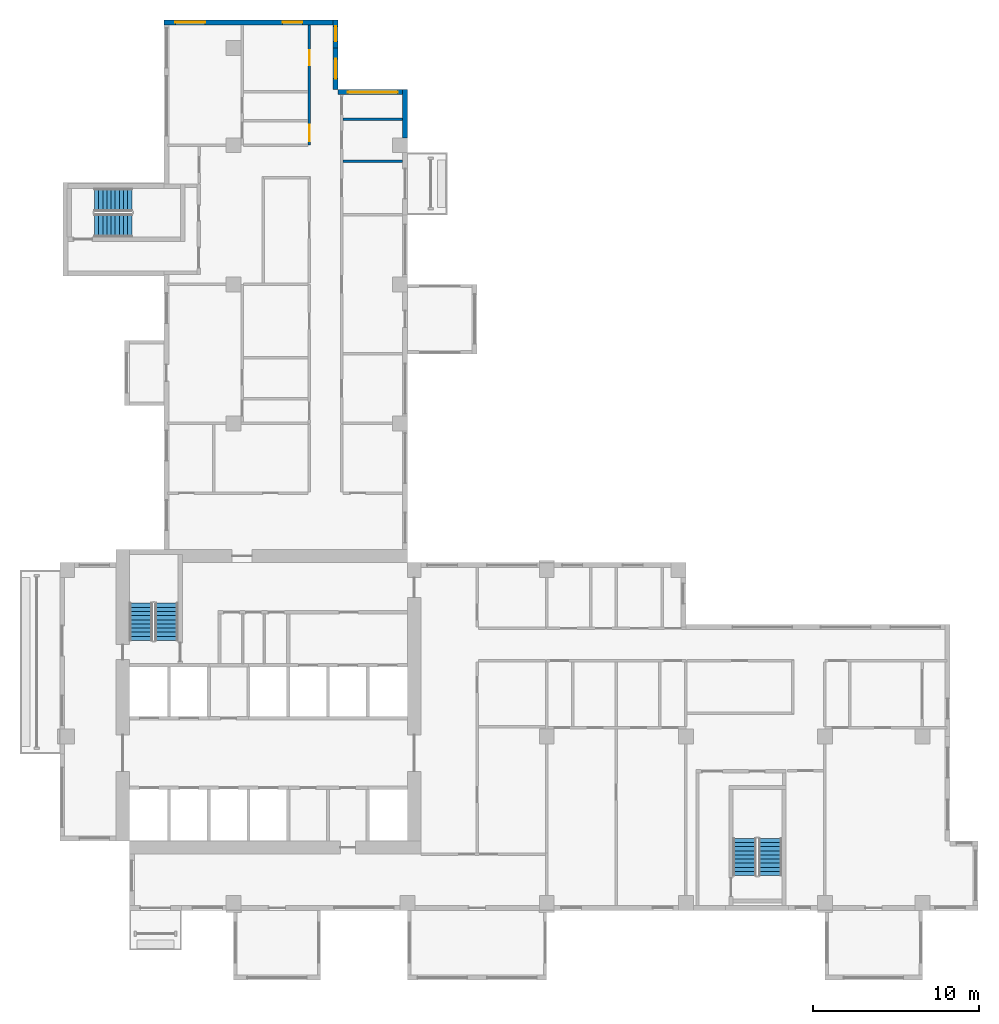
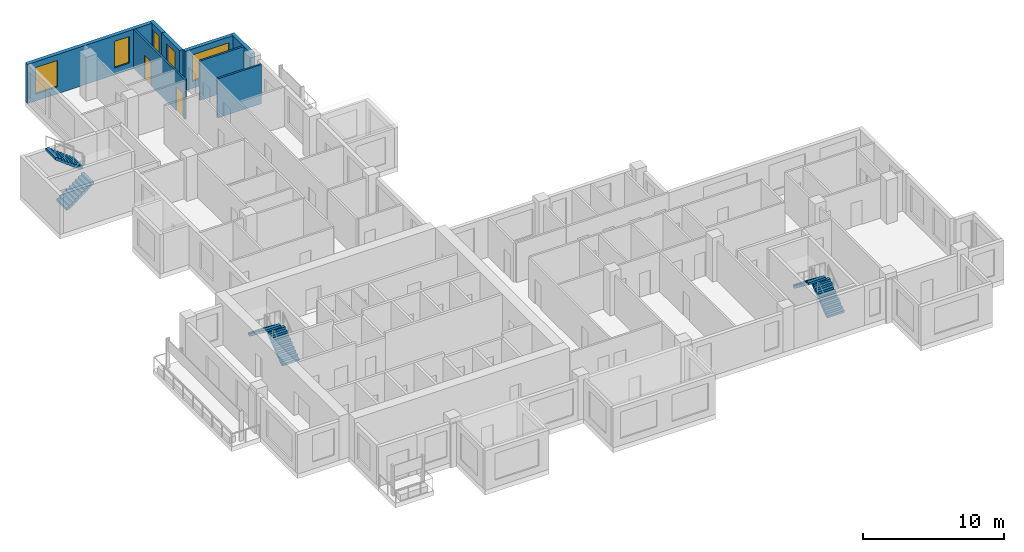
# One storey, part 8 of 12: 8 walls, 6 stair flights, 5 windows, 2 doors, 7 openings, 3 elements without a shape of their own.
"""IFC4 building model written with IfcOpenShell, lengths in metres."""

from ifc_helpers import new_model, si_unit, direction, frame, frame_2d, origin, place, context, subcontext, project, spatial, polyline, rectangle, outline, extrude, source, transform, mapped, material, layer, layer_set, type_object, element, fill, aggregate, save


model = new_model("IFC4")

# Units and contexts
model_context = context("Model", 3, precision=1e-05, world=origin(), true_north=direction((0.0, 1.0)))
body_context = subcontext(model_context, "Body", "Model", "MODEL_VIEW")
ifc_project = project(units=[si_unit("LENGTHUNIT", "METRE"), si_unit("AREAUNIT", "SQUARE_METRE"), si_unit("VOLUMEUNIT", "CUBIC_METRE"), si_unit("PLANEANGLEUNIT", "RADIAN"), si_unit("MASSUNIT", "GRAM", prefix="KILO")], contexts=[model_context])

# Site, building, storey
site_placement = place(None, origin())
site = spatial("IfcSite", under=ifc_project, at=site_placement, CompositionType="ELEMENT")
building_placement = place(site_placement, origin())
building = spatial("IfcBuilding", under=site, at=building_placement, Name="Aurelian Terraces", CompositionType="ELEMENT")
storey_placement = place(building_placement, frame((0.0, 0.0, 223.4)))
storey = spatial("IfcBuildingStorey", under=building, at=storey_placement, Name="L50", CompositionType="ELEMENT", Elevation=223.4)

# Wall
ifc_material_1 = material(Name="Terracotta rainscreen cladding", Category="masonry")
ifc_layer_1 = layer(ifc_material_1, 0.3)
ifc_layer_set_1 = layer_set([ifc_layer_1], Name="EW-300")
wall_type_1 = type_object("IfcWallType", Name="EW-300", PredefinedType="STANDARD", material=ifc_layer_set_1)
shared_shape_1 = source(origin(), body_context, "Body", "SweptSolid", [
    extrude(rectangle(XDim=2.91, YDim=0.3, at=frame_2d((1.455, 0.0))), origin(), (0.0, 0.0, 1.0), 3.4),
])
wall_1_placement = place(storey_placement, frame((20.85, 46.65, 0.0), z_axis=(0.0, 0.0, 1.0), x_axis=(0.0, 1.0, 0.0)))
element("IfcWall", 1, at=wall_1_placement, inside=storey, type_object=wall_type_1, Name="External wall L50 F08.21", PredefinedType="STANDARD", context=body_context, shape_type="MappedRepresentation", body=[
    mapped(shared_shape_1, transform((0.0, 0.0, 0.0), scale=1.0)),
])

# Wall, opening, window
shared_shape_2 = source(origin(), body_context, "Body", "SweptSolid", [
    extrude(rectangle(XDim=4.2, YDim=0.3, at=frame_2d((2.1, 0.0))), origin(), (0.0, 0.0, 1.0), 3.4),
])
wall_2_placement = place(storey_placement, frame((21.0, 49.41, 0.0), z_axis=(0.0, 0.0, 1.0), x_axis=(-1.0, 0.0, 0.0)))
wall_2 = element("IfcWall", 2, at=wall_2_placement, inside=storey, type_object=wall_type_1, Name="External wall L50 F09.22", PredefinedType="STANDARD", context=body_context, shape_type="MappedRepresentation", body=[
    mapped(shared_shape_2, transform((0.0, 0.0, 0.0), scale=1.0)),
])
shared_shape_3 = source(origin(), body_context, "Body", "SweptSolid", [
    extrude(rectangle(XDim=3.0, YDim=2.3, at=frame_2d((1.5, 1.15))), frame((0.0, 0.16, 0.0), z_axis=(0.0, -1.0, 0.0), x_axis=(1.0, 0.0, 0.0)), (0.0, 0.0, 1.0), 0.32),
])
opening_1_placement = place(wall_2_placement, frame((0.6, 0.0, 0.6)))
opening_1 = element("IfcOpeningElement", 3, at=opening_1_placement, cuts=wall_2, Name="Opening W3023", PredefinedType="OPENING", context=body_context, shape_type="MappedRepresentation", body=[
    mapped(shared_shape_3, transform((0.0, 0.0, 0.0), scale=1.0)),
])
ifc_material_2 = material(Name="Clear glazing", Category="glass")
window_type_1 = type_object("IfcWindowType", Name="W-3000x2300", PartitioningType="SINGLE_PANEL", PredefinedType="WINDOW", material=ifc_material_2)
shared_shape_4 = source(origin(), body_context, "Body", "SweptSolid", [
    extrude(rectangle(XDim=3.0, YDim=2.3, at=frame_2d((1.5, 1.15))), frame((0.0, 0.03, 0.0), z_axis=(0.0, -1.0, 0.0), x_axis=(1.0, 0.0, 0.0)), (0.0, 0.0, 1.0), 0.06),
])
window_1_placement = place(opening_1_placement, origin())
window_1 = element("IfcWindow", 4, at=window_1_placement, inside=storey, type_object=window_type_1, Name="Window L50 L50-F09-22-0", OverallHeight=2.3, OverallWidth=3.0, PartitioningType="SINGLE_PANEL", PredefinedType="WINDOW", context=body_context, shape_type="MappedRepresentation", body=[
    mapped(shared_shape_4, transform((0.0, 0.0, 0.0), scale=1.0)),
])
fill(opening_1, window_1)

shared_shape_5 = source(origin(), body_context, "Body", "SweptSolid", [
    extrude(rectangle(XDim=2.52, YDim=0.3, at=frame_2d((1.26, 0.0))), origin(), (0.0, 0.0, 1.0), 3.4),
])
wall_3_placement = place(storey_placement, frame((16.65, 49.56, 0.0), z_axis=(0.0, 0.0, 1.0), x_axis=(0.0, 1.0, 0.0)))
wall_3 = element("IfcWall", 5, at=wall_3_placement, inside=storey, type_object=wall_type_1, Name="External wall L50 F10.23", PredefinedType="STANDARD", context=body_context, shape_type="MappedRepresentation", body=[
    mapped(shared_shape_5, transform((0.0, 0.0, 0.0), scale=1.0)),
])
shared_shape_6 = source(origin(), body_context, "Body", "SweptSolid", [
    extrude(rectangle(XDim=1.2, YDim=2.3, at=frame_2d((0.6, 1.15))), frame((0.0, 0.16, 0.0), z_axis=(0.0, -1.0, 0.0), x_axis=(1.0, 0.0, 0.0)), (0.0, 0.0, 1.0), 0.32),
])
opening_2_placement = place(wall_3_placement, frame((0.66, 0.0, 0.6)))
opening_2 = element("IfcOpeningElement", 6, at=opening_2_placement, cuts=wall_3, Name="Opening W1223", PredefinedType="OPENING", context=body_context, shape_type="MappedRepresentation", body=[
    mapped(shared_shape_6, transform((0.0, 0.0, 0.0), scale=1.0)),
])
window_type_2 = type_object("IfcWindowType", Name="W-1200x2300", PartitioningType="SINGLE_PANEL", PredefinedType="WINDOW", material=ifc_material_2)
shared_shape_7 = source(origin(), body_context, "Body", "SweptSolid", [
    extrude(rectangle(XDim=1.2, YDim=2.3, at=frame_2d((0.6, 1.15))), frame((0.0, 0.03, 0.0), z_axis=(0.0, -1.0, 0.0), x_axis=(1.0, 0.0, 0.0)), (0.0, 0.0, 1.0), 0.06),
])
window_2_placement = place(opening_2_placement, origin())
window_2 = element("IfcWindow", 7, at=window_2_placement, inside=storey, type_object=window_type_2, Name="Window L50 L50-F10-23-0", OverallHeight=2.3, OverallWidth=1.2, PartitioningType="SINGLE_PANEL", PredefinedType="WINDOW", context=body_context, shape_type="MappedRepresentation", body=[
    mapped(shared_shape_7, transform((0.0, 0.0, 0.0), scale=1.0)),
])
fill(opening_2, window_2)

shared_shape_8 = source(origin(), body_context, "Body", "SweptSolid", [
    extrude(rectangle(XDim=1.68, YDim=0.3, at=frame_2d((0.84, 0.0))), origin(), (0.0, 0.0, 1.0), 3.4),
])
wall_4_placement = place(storey_placement, frame((16.65, 52.08, 0.0), z_axis=(0.0, 0.0, 1.0), x_axis=(0.0, 1.0, 0.0)))
wall_4 = element("IfcWall", 8, at=wall_4_placement, inside=storey, type_object=wall_type_1, Name="External wall L50 F10.24", PredefinedType="STANDARD", context=body_context, shape_type="MappedRepresentation", body=[
    mapped(shared_shape_8, transform((0.0, 0.0, 0.0), scale=1.0)),
])
shared_shape_9 = source(origin(), body_context, "Body", "SweptSolid", [
    extrude(rectangle(XDim=0.9, YDim=2.3, at=frame_2d((0.45, 1.15))), frame((0.0, 0.16, 0.0), z_axis=(0.0, -1.0, 0.0), x_axis=(1.0, 0.0, 0.0)), (0.0, 0.0, 1.0), 0.32),
])
opening_3_placement = place(wall_4_placement, frame((0.39, 0.0, 0.6)))
opening_3 = element("IfcOpeningElement", 9, at=opening_3_placement, cuts=wall_4, Name="Opening W0923", PredefinedType="OPENING", context=body_context, shape_type="MappedRepresentation", body=[
    mapped(shared_shape_9, transform((0.0, 0.0, 0.0), scale=1.0)),
])
window_type_3 = type_object("IfcWindowType", Name="W-900x2300", PartitioningType="SINGLE_PANEL", PredefinedType="WINDOW", material=ifc_material_2)
shared_shape_10 = source(origin(), body_context, "Body", "SweptSolid", [
    extrude(rectangle(XDim=0.9, YDim=2.3, at=frame_2d((0.45, 1.15))), frame((0.0, 0.03, 0.0), z_axis=(0.0, -1.0, 0.0), x_axis=(1.0, 0.0, 0.0)), (0.0, 0.0, 1.0), 0.06),
])
window_3_placement = place(opening_3_placement, origin())
window_3 = element("IfcWindow", 10, at=window_3_placement, inside=storey, type_object=window_type_3, Name="Window L50 L50-F10-24-P0", OverallHeight=2.3, OverallWidth=0.9, PartitioningType="SINGLE_PANEL", PredefinedType="WINDOW", context=body_context, shape_type="MappedRepresentation", body=[
    mapped(shared_shape_10, transform((0.0, 0.0, 0.0), scale=1.0)),
])
fill(opening_3, window_3)

# Wall, openings, windows
shared_shape_11 = source(origin(), body_context, "Body", "SweptSolid", [
    extrude(rectangle(XDim=10.5, YDim=0.3, at=frame_2d((5.25, 0.0))), origin(), (0.0, 0.0, 1.0), 3.4),
])
wall_5_placement = place(storey_placement, frame((16.8, 53.61, 0.0), z_axis=(0.0, 0.0, 1.0), x_axis=(-1.0, 0.0, 0.0)))
wall_5 = element("IfcWall", 11, at=wall_5_placement, inside=storey, type_object=wall_type_1, Name="External wall L50 F11.25", PredefinedType="STANDARD", context=body_context, shape_type="MappedRepresentation", body=[
    mapped(shared_shape_11, transform((0.0, 0.0, 0.0), scale=1.0)),
])
opening_4_placement = place(wall_5_placement, frame((2.15, 0.0, 0.6)))
opening_4 = element("IfcOpeningElement", 12, at=opening_4_placement, cuts=wall_5, Name="Opening W1223", PredefinedType="OPENING", context=body_context, shape_type="MappedRepresentation", body=[
    mapped(shared_shape_6, transform((0.0, 0.0, 0.0), scale=1.0)),
])
shared_shape_12 = source(origin(), body_context, "Body", "SweptSolid", [
    extrude(rectangle(XDim=1.8, YDim=2.3, at=frame_2d((0.9, 1.15))), frame((0.0, 0.16, 0.0), z_axis=(0.0, -1.0, 0.0), x_axis=(1.0, 0.0, 0.0)), (0.0, 0.0, 1.0), 0.32),
])
opening_5_placement = place(wall_5_placement, frame((8.025, 0.0, 0.6)))
opening_5 = element("IfcOpeningElement", 13, at=opening_5_placement, cuts=wall_5, Name="Opening W1823", PredefinedType="OPENING", context=body_context, shape_type="MappedRepresentation", body=[
    mapped(shared_shape_12, transform((0.0, 0.0, 0.0), scale=1.0)),
])
window_4_placement = place(opening_4_placement, origin())
window_4 = element("IfcWindow", 14, at=window_4_placement, inside=storey, type_object=window_type_2, Name="Window L50 L50-F11-25-0", OverallHeight=2.3, OverallWidth=1.2, PartitioningType="SINGLE_PANEL", PredefinedType="WINDOW", context=body_context, shape_type="MappedRepresentation", body=[
    mapped(shared_shape_7, transform((0.0, 0.0, 0.0), scale=1.0)),
])
fill(opening_4, window_4)
window_type_4 = type_object("IfcWindowType", Name="W-1800x2300", PartitioningType="SINGLE_PANEL", PredefinedType="WINDOW", material=ifc_material_2)
shared_shape_13 = source(origin(), body_context, "Body", "SweptSolid", [
    extrude(rectangle(XDim=1.8, YDim=2.3, at=frame_2d((0.9, 1.15))), frame((0.0, 0.03, 0.0), z_axis=(0.0, -1.0, 0.0), x_axis=(1.0, 0.0, 0.0)), (0.0, 0.0, 1.0), 0.06),
])
window_5_placement = place(opening_5_placement, origin())
window_5 = element("IfcWindow", 15, at=window_5_placement, inside=storey, type_object=window_type_4, Name="Window L50 L50-F11-25-2", OverallHeight=2.3, OverallWidth=1.8, PartitioningType="SINGLE_PANEL", PredefinedType="WINDOW", context=body_context, shape_type="MappedRepresentation", body=[
    mapped(shared_shape_13, transform((0.0, 0.0, 0.0), scale=1.0)),
])
fill(opening_5, window_5)

# Walls
ifc_material_3 = material(Name="Gypsum board on steel studs", Category="steel")
ifc_layer_2 = layer(ifc_material_3, 0.15)
ifc_layer_set_2 = layer_set([ifc_layer_2], Name="Partition 150")
wall_type_2 = type_object("IfcWallType", Name="Partition 150", PredefinedType="PARTITIONING", material=ifc_layer_set_2)
shared_shape_14 = source(origin(), body_context, "Body", "SweptSolid", [
    extrude(rectangle(XDim=3.6, YDim=0.15, at=frame_2d((1.8, 0.0))), origin(), (0.0, 0.0, 1.0), 3.4),
])
for number, where, z_axis, x_axis, name in (
    (16, (17.1, 45.2436, 0.0), (0.0, 0.0, 1.0), (1.0, 0.0, 0.0), "Partition"),
    (17, (17.1, 47.7786, 0.0), (0.0, 0.0, 1.0), (1.0, 0.0, 0.0), "Partition"),
):
    element("IfcWall", number, at=place(storey_placement, frame(where, z_axis=z_axis, x_axis=x_axis)), inside=storey, type_object=wall_type_2, Name=name, PredefinedType="PARTITIONING", context=body_context, shape_type="MappedRepresentation", body=[
        mapped(shared_shape_14, transform((0.0, 0.0, 0.0), scale=1.0)),
    ])

# Wall, openings, doors
ifc_layer_3 = layer(ifc_material_3, 0.15)
ifc_layer_set_3 = layer_set([ifc_layer_3], Name="Fire partition 150")
wall_type_3 = type_object("IfcWallType", Name="Fire partition 150", PredefinedType="PARTITIONING", material=ifc_layer_set_3)
shared_shape_15 = source(origin(), body_context, "Body", "SweptSolid", [
    extrude(rectangle(XDim=7.26, YDim=0.15, at=frame_2d((3.63, 0.0))), origin(), (0.0, 0.0, 1.0), 3.4),
])
wall_6_placement = place(storey_placement, frame((15.075, 46.2, 0.0), z_axis=(0.0, 0.0, 1.0), x_axis=(0.0, 1.0, 0.0)))
wall_6 = element("IfcWall", 18, at=wall_6_placement, inside=storey, type_object=wall_type_3, Name="Corridor wall", PredefinedType="PARTITIONING", context=body_context, shape_type="MappedRepresentation", body=[
    mapped(shared_shape_15, transform((0.0, 0.0, 0.0), scale=1.0)),
])
shared_shape_16 = source(origin(), body_context, "Body", "SweptSolid", [
    extrude(rectangle(XDim=1.0, YDim=2.1, at=frame_2d((0.5, 1.05))), frame((0.0, 0.085, 0.0), z_axis=(0.0, -1.0, 0.0), x_axis=(1.0, 0.0, 0.0)), (0.0, 0.0, 1.0), 0.17),
])
opening_6_placement = place(wall_6_placement, frame((0.2423, 0.0, 0.0)))
opening_6 = element("IfcOpeningElement", 19, at=opening_6_placement, cuts=wall_6, Name="Opening 750030", PredefinedType="OPENING", context=body_context, shape_type="MappedRepresentation", body=[
    mapped(shared_shape_16, transform((0.0, 0.0, 0.0), scale=1.0)),
])
shared_shape_17 = source(origin(), body_context, "Body", "SweptSolid", [
    extrude(rectangle(XDim=0.9, YDim=2.1, at=frame_2d((0.45, 1.05))), frame((0.0, 0.085, 0.0), z_axis=(0.0, -1.0, 0.0), x_axis=(1.0, 0.0, 0.0)), (0.0, 0.0, 1.0), 0.17),
])
opening_7_placement = place(wall_6_placement, frame((4.8255, 0.0, 0.0)))
opening_7 = element("IfcOpeningElement", 20, at=opening_7_placement, cuts=wall_6, Name="Opening 750033", PredefinedType="OPENING", context=body_context, shape_type="MappedRepresentation", body=[
    mapped(shared_shape_17, transform((0.0, 0.0, 0.0), scale=1.0)),
])
ifc_material_4 = material(Name="Steel door leaf", Category="steel")
door_type_1 = type_object("IfcDoorType", Name="Entrance fire door 1000x2100 left", OperationType="SINGLE_SWING_LEFT", PredefinedType="DOOR", material=ifc_material_4)
shared_shape_18 = source(origin(), body_context, "Body", "SweptSolid", [
    extrude(rectangle(XDim=1.0, YDim=2.1, at=frame_2d((0.5, 1.05))), frame((0.0, 0.025, 0.0), z_axis=(0.0, -1.0, 0.0), x_axis=(1.0, 0.0, 0.0)), (0.0, 0.0, 1.0), 0.05),
])
door_1_placement = place(opening_6_placement, origin())
door_1 = element("IfcDoor", 21, at=door_1_placement, inside=storey, type_object=door_type_1, Name="Door 750030", OperationType="SINGLE_SWING_LEFT", OverallHeight=2.1, OverallWidth=1.0, PredefinedType="DOOR", context=body_context, shape_type="MappedRepresentation", body=[
    mapped(shared_shape_18, transform((0.0, 0.0, 0.0), scale=1.0)),
])
fill(opening_6, door_1)
door_type_2 = type_object("IfcDoorType", Name="Entrance fire door 900x2100 right", OperationType="SINGLE_SWING_RIGHT", PredefinedType="DOOR", material=ifc_material_4)
shared_shape_19 = source(origin(), body_context, "Body", "SweptSolid", [
    extrude(rectangle(XDim=0.9, YDim=2.1, at=frame_2d((0.45, 1.05))), frame((0.0, 0.025, 0.0), z_axis=(0.0, -1.0, 0.0), x_axis=(1.0, 0.0, 0.0)), (0.0, 0.0, 1.0), 0.05),
])
door_2_placement = place(opening_7_placement, origin())
door_2 = element("IfcDoor", 22, at=door_2_placement, inside=storey, type_object=door_type_2, Name="Door 750033", OperationType="SINGLE_SWING_RIGHT", OverallHeight=2.1, OverallWidth=0.9, PredefinedType="DOOR", context=body_context, shape_type="MappedRepresentation", body=[
    mapped(shared_shape_19, transform((0.0, 0.0, 0.0), scale=1.0)),
])
fill(opening_7, door_2)

# Stair, stair flights
ifc_material_5 = material(Name="Concrete fc' 40 MPa", Category="concrete")
stair_type = type_object("IfcStairType", Name="Stair 1400", PredefinedType="HALF_TURN_STAIR", material=ifc_material_5)
stair_1_placement = place(storey_placement, origin())
stair_1 = element("IfcStair", 23, at=stair_1_placement, inside=storey, type_object=stair_type, Name="L50 S1", PredefinedType="HALF_TURN_STAIR")
stair_flight_type = type_object("IfcStairFlightType", Name="Stair flight 1400", PredefinedType="STRAIGHT", material=ifc_material_5)
shared_shape_20 = source(origin(), body_context, "Body", "SweptSolid", [
    extrude(outline(polyline([(0.0, 0.0), (0.0, 0.19), (0.25, 0.19), (0.25, 0.38), (0.5, 0.38), (0.5, 0.57), (0.75, 0.57), (0.75, 0.76), (1.0, 0.76), (1.0, 0.95), (1.25, 0.95), (1.25, 1.14), (1.5, 1.14), (1.5, 1.33), (1.75, 1.33), (1.75, 1.52), (2.0, 1.52), (2.0, 1.71), (2.25, 1.71), (2.25, 1.9), (2.25, 1.5216), (0.2479, 0.0), (0.0, 0.0)])), frame((0.0, 0.7, 0.0), z_axis=(0.0, -1.0, 0.0), x_axis=(1.0, 0.0, 0.0)), (0.0, 0.0, 1.0), 1.4),
])
stair_flight_1_placement = place(storey_placement, frame((6.45, 16.3, 2e-08), z_axis=(0.0, 0.0, 1.0), x_axis=(0.0, 1.0, 0.0)))
stair_flight_1 = element("IfcStairFlight", 24, at=stair_flight_1_placement, type_object=stair_flight_type, Name="S1 flight 1", NumberOfRisers=10, NumberOfTreads=9, PredefinedType="STRAIGHT", RiserHeight=0.19, TreadLength=0.25, context=body_context, shape_type="MappedRepresentation", body=[
    mapped(shared_shape_20, transform((0.0, 0.0, 0.0), scale=1.0)),
])
stair_flight_2_placement = place(storey_placement, frame((4.9, 18.55, 1.9000000200000058), z_axis=(0.0, 0.0, 1.0), x_axis=(0.0, -1.0, 0.0)))
stair_flight_2 = element("IfcStairFlight", 25, at=stair_flight_2_placement, type_object=stair_flight_type, Name="S1 flight 2", NumberOfRisers=10, NumberOfTreads=9, PredefinedType="STRAIGHT", RiserHeight=0.19, TreadLength=0.25, context=body_context, shape_type="MappedRepresentation", body=[
    mapped(shared_shape_20, transform((0.0, 0.0, 0.0), scale=1.0)),
])
aggregate(stair_1, [stair_flight_1, stair_flight_2])

stair_2_placement = place(storey_placement, origin())
stair_2 = element("IfcStair", 26, at=stair_2_placement, inside=storey, type_object=stair_type, Name="L50 S2", PredefinedType="HALF_TURN_STAIR")
stair_flight_3_placement = place(storey_placement, frame((42.9, 2.1, 2e-08), z_axis=(0.0, 0.0, 1.0), x_axis=(0.0, 1.0, 0.0)))
stair_flight_3 = element("IfcStairFlight", 27, at=stair_flight_3_placement, type_object=stair_flight_type, Name="S2 flight 1", NumberOfRisers=10, NumberOfTreads=9, PredefinedType="STRAIGHT", RiserHeight=0.19, TreadLength=0.25, context=body_context, shape_type="MappedRepresentation", body=[
    mapped(shared_shape_20, transform((0.0, 0.0, 0.0), scale=1.0)),
])
stair_flight_4_placement = place(storey_placement, frame((41.35, 4.35, 1.9000000200000058), z_axis=(0.0, 0.0, 1.0), x_axis=(0.0, -1.0, 0.0)))
stair_flight_4 = element("IfcStairFlight", 28, at=stair_flight_4_placement, type_object=stair_flight_type, Name="S2 flight 2", NumberOfRisers=10, NumberOfTreads=9, PredefinedType="STRAIGHT", RiserHeight=0.19, TreadLength=0.25, context=body_context, shape_type="MappedRepresentation", body=[
    mapped(shared_shape_20, transform((0.0, 0.0, 0.0), scale=1.0)),
])
aggregate(stair_2, [stair_flight_3, stair_flight_4])

stair_3_placement = place(storey_placement, origin())
stair_3 = element("IfcStair", 29, at=stair_3_placement, inside=storey, type_object=stair_type, Name="L50 S3", PredefinedType="HALF_TURN_STAIR")
stair_flight_5_placement = place(storey_placement, frame((2.1, 41.35, 2e-08), z_axis=(0.0, 0.0, 1.0), x_axis=(1.0, 0.0, 0.0)))
stair_flight_5 = element("IfcStairFlight", 30, at=stair_flight_5_placement, type_object=stair_flight_type, Name="S3 flight 1", NumberOfRisers=10, NumberOfTreads=9, PredefinedType="STRAIGHT", RiserHeight=0.19, TreadLength=0.25, context=body_context, shape_type="MappedRepresentation", body=[
    mapped(shared_shape_20, transform((0.0, 0.0, 0.0), scale=1.0)),
])
stair_flight_6_placement = place(storey_placement, frame((4.35, 42.9, 1.9000000200000058), z_axis=(0.0, 0.0, 1.0), x_axis=(-1.0, 0.0, 0.0)))
stair_flight_6 = element("IfcStairFlight", 31, at=stair_flight_6_placement, type_object=stair_flight_type, Name="S3 flight 2", NumberOfRisers=10, NumberOfTreads=9, PredefinedType="STRAIGHT", RiserHeight=0.19, TreadLength=0.25, context=body_context, shape_type="MappedRepresentation", body=[
    mapped(shared_shape_20, transform((0.0, 0.0, 0.0), scale=1.0)),
])
aggregate(stair_3, [stair_flight_5, stair_flight_6])

save(model, "model.ifc")
